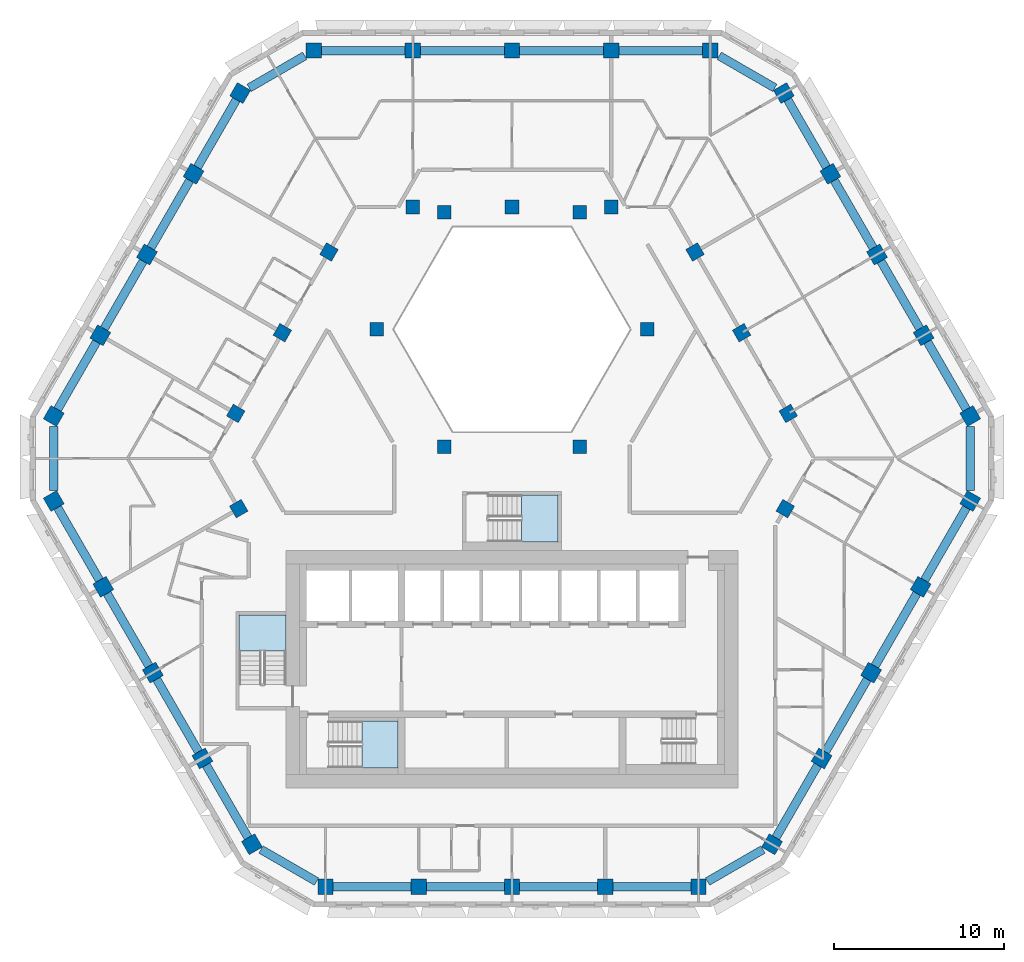
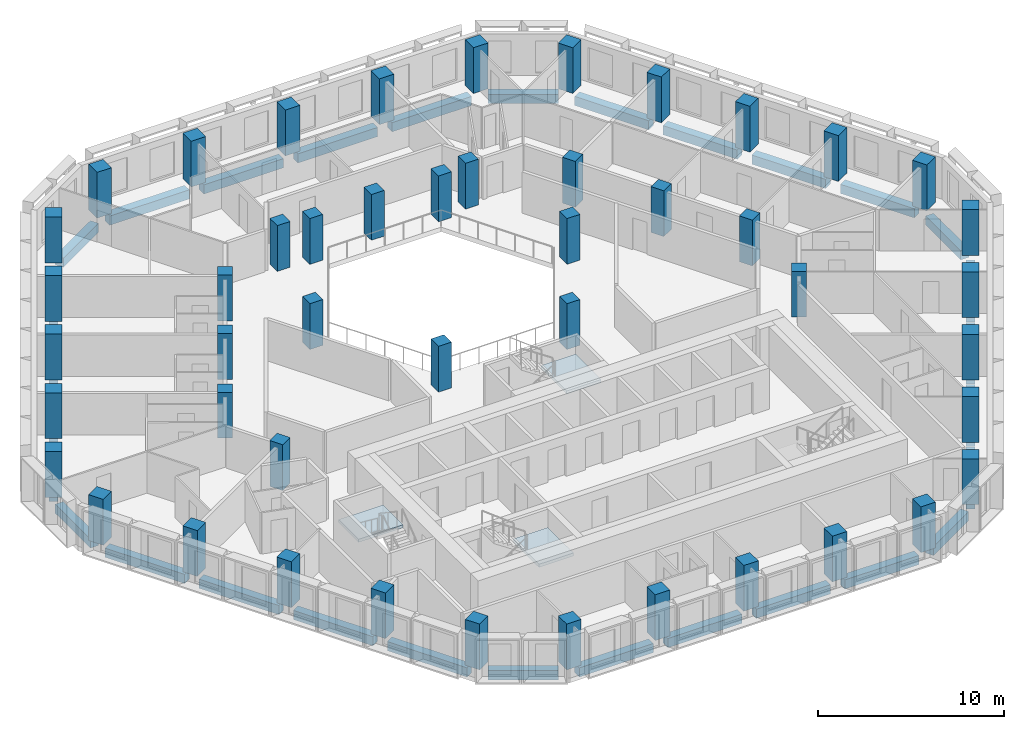
# One storey, part 1 of 17: 47 columns, 30 beams, 3 slabs, 3 elements without a shape of their own.
"""IFC4 building model written with IfcOpenShell, lengths in metres."""

from ifc_helpers import new_model, si_unit, direction, frame, origin, origin_2d, place, context, subcontext, project, spatial, polyline, rectangle, outline, extrude, material, layer, layer_set, material_profile, profile_set, type_object, element, aggregate, save


model = new_model("IFC4")

# Units and contexts
model_context = context("Model", 3, precision=1e-05, world=origin(), true_north=direction((0.0, 1.0)))
body_context = subcontext(model_context, "Body", "Model", "MODEL_VIEW")
ifc_project = project(units=[si_unit("LENGTHUNIT", "METRE"), si_unit("AREAUNIT", "SQUARE_METRE"), si_unit("VOLUMEUNIT", "CUBIC_METRE"), si_unit("PLANEANGLEUNIT", "RADIAN"), si_unit("MASSUNIT", "GRAM", prefix="KILO")], contexts=[model_context])

# Site, building, storey
site_placement = place(None, origin())
site = spatial("IfcSite", under=ifc_project, at=site_placement, CompositionType="ELEMENT")
building_placement = place(site_placement, origin())
building = spatial("IfcBuilding", under=site, at=building_placement, Name="Beryl Residences", CompositionType="ELEMENT")
storey_placement = place(building_placement, frame((0.0, 0.0, 120.60009765625)))
storey = spatial("IfcBuildingStorey", under=building, at=storey_placement, Name="L36", CompositionType="ELEMENT", Elevation=120.60009765625)

# Columns
ifc_material_1 = material(Name="Concrete C60/75", Category="concrete")
ifc_material_profile_1 = material_profile(ifc_material_1, rectangle(XDim=0.89990234375, YDim=0.89990234375, at=origin_2d()))
ifc_profile_set_1 = profile_set([ifc_material_profile_1], Name="Concrete C60/75")
column_type_1 = type_object("IfcColumnType", Name="C3 tube column 900 x 900 C60/75", PredefinedType="COLUMN", material=ifc_profile_set_1)
for number, where, z_axis, x_axis, name in (
    (1, (11.662109375, 24.39990234375, 0.0), (0.0, 0.0, 1.0), (-1.0, 0.0, 0.0), "C3-N1 L36"),
    (2, (5.8310546875, 24.39990234375, 0.0), (0.0, 0.0, 1.0), (-1.0, 0.0, 0.0), "C3-N2 L36"),
    (3, (0.0, 24.39990234375, 0.0), (0.0, 0.0, 1.0), (-1.0, 0.0, 0.0), "C3-N3 L36"),
    (4, (-5.8310546875, 24.39990234375, 0.0), (0.0, 0.0, 1.0), (-1.0, 0.0, 0.0), "C3-N4 L36"),
    (5, (-11.662109375, 24.39990234375, 0.0), (0.0, 0.0, 1.0), (-1.0, 0.0, 0.0), "C3-N5 L36"),
    (6, (-15.992919921875, 21.89990234375, 0.0), (0.0, 0.0, 1.0), (-0.5, -0.866025403784, 0.0), "C3-NW1 L36"),
    (7, (-18.735107421875, 17.14990234375, 0.0), (0.0, 0.0, 1.0), (-0.5, -0.866025403784, 0.0), "C3-NW2 L36"),
    (8, (-21.47802734375, 12.39990234375, 0.0), (0.0, 0.0, 1.0), (-0.5, -0.866025403784, 0.0), "C3-NW3 L36"),
    (9, (-24.219970703125, 7.64990234375, 0.0), (0.0, 0.0, 1.0), (-0.5, -0.866025403784, 0.0), "C3-NW4 L36"),
    (10, (-26.962890625, 2.89990234375, 0.0), (0.0, 0.0, 1.0), (-0.5, -0.866025403784, 0.0), "C3-NW5 L36"),
    (11, (-26.9619140625, -2.10009765625, 0.0), (0.0, 0.0, 1.0), (0.5, -0.866025403784, 0.0), "C3-SW1 L36"),
    (12, (-24.047119140625, -7.14892578125, 0.0), (0.0, 0.0, 1.0), (0.5, -0.866025403784, 0.0), "C3-SW2 L36"),
    (13, (-21.131103515625, -12.198974609375, 0.0), (0.0, 0.0, 1.0), (0.5, -0.866025403784, 0.0), "C3-SW3 L36"),
    (14, (-18.216064453125, -17.2490234375, 0.0), (0.0, 0.0, 1.0), (0.5, -0.866025403784, 0.0), "C3-SW4 L36"),
    (15, (-15.300048828125, -22.299072265625, 0.0), (0.0, 0.0, 1.0), (0.5, -0.866025403784, 0.0), "C3-SW5 L36"),
    (16, (-10.968994140625, -24.800048828125, 0.0), (0.0, 0.0, 1.0), (1.0, 0.0, 0.0), "C3-S1 L36"),
    (17, (-5.48388671875, -24.800048828125, 0.0), (0.0, 0.0, 1.0), (1.0, 0.0, 0.0), "C3-S2 L36"),
    (18, (0.0009765625, -24.800048828125, 0.0), (0.0, 0.0, 1.0), (1.0, 0.0, 0.0), "C3-S3 L36"),
    (19, (5.486083984375, -24.800048828125, 0.0), (0.0, 0.0, 1.0), (1.0, 0.0, 0.0), "C3-S4 L36"),
    (20, (10.970947265625, -24.800048828125, 0.0), (0.0, 0.0, 1.0), (1.0, 0.0, 0.0), "C3-S5 L36"),
    (21, (15.299072265625, -22.300048828125, 0.0), (0.0, 0.0, 1.0), (0.5, 0.866025403784, 0.0), "C3-SE1 L36"),
    (22, (18.215087890625, -17.2509765625, 0.0), (0.0, 0.0, 1.0), (0.5, 0.866025403784, 0.0), "C3-SE2 L36"),
    (23, (21.1298828125, -12.200927734375, 0.0), (0.0, 0.0, 1.0), (0.5, 0.866025403784, 0.0), "C3-SE3 L36"),
    (24, (24.0458984375, -7.15087890625, 0.0), (0.0, 0.0, 1.0), (0.5, 0.866025403784, 0.0), "C3-SE4 L36"),
    (25, (26.9609375, -2.10107421875, 0.0), (0.0, 0.0, 1.0), (0.5, 0.866025403784, 0.0), "C3-SE5 L36"),
    (26, (26.962890625, 2.89990234375, 0.0), (0.0, 0.0, 1.0), (-0.5, 0.866025403784, 0.0), "C3-NE1 L36"),
    (27, (24.219970703125, 7.64990234375, 0.0), (0.0, 0.0, 1.0), (-0.5, 0.866025403784, 0.0), "C3-NE2 L36"),
    (28, (21.47802734375, 12.39990234375, 0.0), (0.0, 0.0, 1.0), (-0.5, 0.866025403784, 0.0), "C3-NE3 L36"),
    (29, (18.735107421875, 17.14990234375, 0.0), (0.0, 0.0, 1.0), (-0.5, 0.866025403784, 0.0), "C3-NE4 L36"),
    (30, (15.992919921875, 21.89990234375, 0.0), (0.0, 0.0, 1.0), (-0.5, 0.866025403784, 0.0), "C3-NE5 L36"),
):
    element("IfcColumn", number, at=place(storey_placement, frame(where, z_axis=z_axis, x_axis=x_axis)), inside=storey, type_object=column_type_1, Name=name, PredefinedType="COLUMN", context=body_context, shape_type="SweptSolid", body=[
        extrude(rectangle(XDim=0.89990234375, YDim=0.89990234375, at=origin_2d()), origin(), (0.0, 0.0, 1.0), 3.0),
    ])
ifc_material_2 = material(Name="Concrete C60/75", Category="concrete")
ifc_material_profile_2 = material_profile(ifc_material_2, rectangle(XDim=0.800048828125, YDim=0.800048828125, at=origin_2d()))
ifc_profile_set_2 = profile_set([ifc_material_profile_2], Name="Concrete C60/75")
column_type_2 = type_object("IfcColumnType", Name="IC3 interior column 800 x 800 C60/75", PredefinedType="COLUMN", material=ifc_profile_set_2)
for number, where, z_axis, x_axis, name in (
    (31, (-16.0791015625, -2.549072265625, 0.0), (0.0, 0.0, 1.0), (0.5, -0.866025403784, 0.0), "IC3-M01 L36"),
    (32, (16.077880859375, -2.551025390625, 0.0), (0.0, 0.0, 1.0), (0.5, 0.866025403784, 0.0), "IC3-M02 L36"),
    (33, (16.2529296875, 3.050048828125, 0.0), (0.0, 0.0, 1.0), (-0.5, 0.866025403784, 0.0), "IC3-M03 L36"),
    (34, (3.98388671875, 1.10009765625, 0.0), (0.0, 0.0, 1.0), (1.0, 0.0, 0.0), "IC3-A04 L36"),
    (35, (13.510009765625, 7.800048828125, 0.0), (0.0, 0.0, 1.0), (-0.5, 0.866025403784, 0.0), "IC3-M05 L36"),
    (36, (7.967041015625, 8.0, 0.0), (0.0, 0.0, 1.0), (1.0, 0.0, 0.0), "IC3-A06 L36"),
    (37, (10.76806640625, 12.550048828125, 0.0), (0.0, 0.0, 1.0), (-0.5, 0.866025403784, 0.0), "IC3-M07 L36"),
    (38, (5.8310546875, 15.199951171875, 0.0), (0.0, 0.0, 1.0), (-1.0, 0.0, 0.0), "IC3-M08 L36"),
    (39, (3.98388671875, 14.89990234375, 0.0), (0.0, 0.0, 1.0), (1.0, 0.0, 0.0), "IC3-A09 L36"),
    (40, (0.0, 15.199951171875, 0.0), (0.0, 0.0, 1.0), (-1.0, 0.0, 0.0), "IC3-M10 L36"),
    (41, (-3.98388671875, 14.89990234375, 0.0), (0.0, 0.0, 1.0), (1.0, 0.0, 0.0), "IC3-A11 L36"),
    (42, (-5.8310546875, 15.199951171875, 0.0), (0.0, 0.0, 1.0), (-1.0, 0.0, 0.0), "IC3-M12 L36"),
    (43, (-10.76806640625, 12.550048828125, 0.0), (0.0, 0.0, 1.0), (-0.5, -0.866025403784, 0.0), "IC3-M13 L36"),
    (44, (-7.967041015625, 8.0, 0.0), (0.0, 0.0, 1.0), (1.0, 0.0, 0.0), "IC3-A14 L36"),
    (45, (-13.510009765625, 7.800048828125, 0.0), (0.0, 0.0, 1.0), (-0.5, -0.866025403784, 0.0), "IC3-M15 L36"),
    (46, (-3.98388671875, 1.10009765625, 0.0), (0.0, 0.0, 1.0), (1.0, 0.0, 0.0), "IC3-A16 L36"),
    (47, (-16.2529296875, 3.050048828125, 0.0), (0.0, 0.0, 1.0), (-0.5, -0.866025403784, 0.0), "IC3-M17 L36"),
):
    element("IfcColumn", number, at=place(storey_placement, frame(where, z_axis=z_axis, x_axis=x_axis)), inside=storey, type_object=column_type_2, Name=name, PredefinedType="COLUMN", context=body_context, shape_type="SweptSolid", body=[
        extrude(rectangle(XDim=0.800048828125, YDim=0.800048828125, at=origin_2d()), origin(), (0.0, 0.0, 1.0), 3.0),
    ])

# Beams
ifc_material_3 = material(Name="Concrete C60/75", Category="concrete")
ifc_material_profile_3 = material_profile(ifc_material_3, rectangle(XDim=0.5, YDim=0.60009765625, at=origin_2d()))
ifc_profile_set_3 = profile_set([ifc_material_profile_3], Name="Concrete C60/75")
beam_type = type_object("IfcBeamType", Name="SB3 spandrel beam 500 x 600 C60/75", PredefinedType="SPANDREL", material=ifc_profile_set_3)
beam_1_placement = place(storey_placement, frame((11.2119140625, 24.39990234375, -0.60009765625), z_axis=(-1.0, 0.0, 0.0), x_axis=(0.0, -1.0, 0.0)))
element("IfcBeam", 48, at=beam_1_placement, inside=storey, type_object=beam_type, Name="SB3 L36 N-0", PredefinedType="SPANDREL", context=body_context, shape_type="SweptSolid", body=[
    extrude(rectangle(XDim=0.5, YDim=0.60009765625, at=origin_2d()), origin(), (0.0, 0.0, 1.0), 4.930908203125),
])
for number, where, z_axis, x_axis, name in (
    (49, (5.381103515625, 24.39990234375, -0.60009765625), (-1.0, 0.0, 0.0), (0.0, -1.0, 0.0), "SB3 L36 N-1"),
    (50, (-0.449951171875, 24.39990234375, -0.60009765625), (-1.0, 0.0, 0.0), (0.0, -1.0, 0.0), "SB3 L36 N-2"),
):
    element("IfcBeam", number, at=place(storey_placement, frame(where, z_axis=z_axis, x_axis=x_axis)), inside=storey, type_object=beam_type, Name=name, PredefinedType="SPANDREL", context=body_context, shape_type="SweptSolid", body=[
        extrude(rectangle(XDim=0.5, YDim=0.60009765625, at=origin_2d()), origin(), (0.0, 0.0, 1.0), 4.93115234375),
    ])
beam_2_placement = place(storey_placement, frame((-6.281005859375, 24.39990234375, -0.60009765625), z_axis=(-1.0, 0.0, 0.0), x_axis=(0.0, -1.0, 0.0)))
element("IfcBeam", 51, at=beam_2_placement, inside=storey, type_object=beam_type, Name="SB3 L36 N-3", PredefinedType="SPANDREL", context=body_context, shape_type="SweptSolid", body=[
    extrude(rectangle(XDim=0.5, YDim=0.60009765625, at=origin_2d()), origin(), (0.0, 0.0, 1.0), 4.930908203125),
])
beam_3_placement = place(storey_placement, frame((-12.194091796875, 24.093017578125, -0.60009765625), z_axis=(-0.866040087317, -0.499974566514, 0.0), x_axis=(0.499974566514, -0.866040087317, 0.0)))
element("IfcBeam", 52, at=beam_3_placement, inside=storey, type_object=beam_type, Name="SB3 L36 N-4", PredefinedType="SPANDREL", context=body_context, shape_type="SweptSolid", body=[
    extrude(rectangle(XDim=0.5, YDim=0.60009765625, at=origin_2d()), origin(), (0.0, 0.0, 1.0), 3.772216796875),
])
beam_4_placement = place(storey_placement, frame((-16.218017578125, 21.510009765625, -0.60009765625), z_axis=(-0.49998830735, -0.866032154434, 0.0), x_axis=(0.866032154434, -0.49998830735, 0.0)))
element("IfcBeam", 53, at=beam_4_placement, inside=storey, type_object=beam_type, Name="SB3 L36 NW-0", PredefinedType="SPANDREL", context=body_context, shape_type="SweptSolid", body=[
    extrude(rectangle(XDim=0.5, YDim=0.60009765625, at=origin_2d()), origin(), (0.0, 0.0, 1.0), 4.583984375),
])
beam_5_placement = place(storey_placement, frame((-18.9599609375, 16.760009765625, -0.60009765625), z_axis=(-0.500148059018, -0.865939904993, 0.0), x_axis=(0.865939904993, -0.500148059018, 0.0)))
element("IfcBeam", 54, at=beam_5_placement, inside=storey, type_object=beam_type, Name="SB3 L36 NW-1", PredefinedType="SPANDREL", context=body_context, shape_type="SweptSolid", body=[
    extrude(rectangle(XDim=0.5, YDim=0.60009765625, at=origin_2d()), origin(), (0.0, 0.0, 1.0), 4.58447265625),
])
beam_6_placement = place(storey_placement, frame((-21.702880859375, 12.010009765625, -0.60009765625), z_axis=(-0.500028250054, -0.866009092994, 0.0), x_axis=(0.866009092994, -0.500028250054, 0.0)))
element("IfcBeam", 55, at=beam_6_placement, inside=storey, type_object=beam_type, Name="SB3 L36 NW-2", PredefinedType="SPANDREL", context=body_context, shape_type="SweptSolid", body=[
    extrude(rectangle(XDim=0.5, YDim=0.60009765625, at=origin_2d()), origin(), (0.0, 0.0, 1.0), 4.584228515625),
])
beam_7_placement = place(storey_placement, frame((-24.445068359375, 7.260009765625, -0.60009765625), z_axis=(-0.500148059018, -0.865939904993, 0.0), x_axis=(0.865939904993, -0.500148059018, 0.0)))
element("IfcBeam", 56, at=beam_7_placement, inside=storey, type_object=beam_type, Name="SB3 L36 NW-3", PredefinedType="SPANDREL", context=body_context, shape_type="SweptSolid", body=[
    extrude(rectangle(XDim=0.5, YDim=0.60009765625, at=origin_2d()), origin(), (0.0, 0.0, 1.0), 4.58447265625),
])
beam_8_placement = place(storey_placement, frame((-26.962890625, 2.285888671875, -0.60009765625), z_axis=(0.000258899668, -0.999999966485, 0.0), x_axis=(0.999999966485, 0.000258899668, 0.0)))
element("IfcBeam", 57, at=beam_8_placement, inside=storey, type_object=beam_type, Name="SB3 L36 NW-4", PredefinedType="SPANDREL", context=body_context, shape_type="SweptSolid", body=[
    extrude(rectangle(XDim=0.5, YDim=0.60009765625, at=origin_2d()), origin(), (0.0, 0.0, 1.0), 3.77197265625),
])
beam_9_placement = place(storey_placement, frame((-26.737060546875, -2.489990234375, -0.60009765625), z_axis=(0.50005397607, -0.865994238443, 0.0), x_axis=(0.865994238443, 0.50005397607, 0.0)))
element("IfcBeam", 58, at=beam_9_placement, inside=storey, type_object=beam_type, Name="SB3 L36 SW-0", PredefinedType="SPANDREL", context=body_context, shape_type="SweptSolid", body=[
    extrude(rectangle(XDim=0.5, YDim=0.60009765625, at=origin_2d()), origin(), (0.0, 0.0, 1.0), 4.9296875),
])
beam_10_placement = place(storey_placement, frame((-23.822021484375, -7.5390625, -0.60009765625), z_axis=(0.500116736097, -0.865957995677, 0.0), x_axis=(0.865957995677, 0.500116736097, 0.0)))
element("IfcBeam", 59, at=beam_10_placement, inside=storey, type_object=beam_type, Name="SB3 L36 SW-1", PredefinedType="SPANDREL", context=body_context, shape_type="SweptSolid", body=[
    extrude(rectangle(XDim=0.5, YDim=0.60009765625, at=origin_2d()), origin(), (0.0, 0.0, 1.0), 4.930908203125),
])
beam_11_placement = place(storey_placement, frame((-20.906005859375, -12.589111328125, -0.60009765625), z_axis=(0.499989643469, -0.866031383048, 0.0), x_axis=(0.866031383048, 0.499989643469, 0.0)))
element("IfcBeam", 60, at=beam_11_placement, inside=storey, type_object=beam_type, Name="SB3 L36 SW-2", PredefinedType="SPANDREL", context=body_context, shape_type="SweptSolid", body=[
    extrude(rectangle(XDim=0.5, YDim=0.60009765625, at=origin_2d()), origin(), (0.0, 0.0, 1.0), 4.93017578125),
])
beam_12_placement = place(storey_placement, frame((-17.990966796875, -17.638916015625, -0.60009765625), z_axis=(0.500116736097, -0.865957995677, 0.0), x_axis=(0.865957995677, 0.500116736097, 0.0)))
element("IfcBeam", 61, at=beam_12_placement, inside=storey, type_object=beam_type, Name="SB3 L36 SW-3", PredefinedType="SPANDREL", context=body_context, shape_type="SweptSolid", body=[
    extrude(rectangle(XDim=0.5, YDim=0.60009765625, at=origin_2d()), origin(), (0.0, 0.0, 1.0), 4.930908203125),
])
beam_13_placement = place(storey_placement, frame((-14.76806640625, -22.60595703125, -0.60009765625), z_axis=(0.865944170592, -0.500140673629, 0.0), x_axis=(0.500140673629, 0.865944170592, 0.0)))
element("IfcBeam", 62, at=beam_13_placement, inside=storey, type_object=beam_type, Name="SB3 L36 SW-4", PredefinedType="SPANDREL", context=body_context, shape_type="SweptSolid", body=[
    extrude(rectangle(XDim=0.5, YDim=0.60009765625, at=origin_2d()), origin(), (0.0, 0.0, 1.0), 3.77294921875),
])
for number, where, z_axis, x_axis, name in (
    (63, (-10.51904296875, -24.800048828125, -0.60009765625), (1.0, 0.0, 0.0), (0.0, 1.0, 0.0), "SB3 L36 S-0"),
    (64, (-5.033935546875, -24.800048828125, -0.60009765625), (1.0, 0.0, 0.0), (0.0, 1.0, 0.0), "SB3 L36 S-1"),
    (65, (0.450927734375, -24.800048828125, -0.60009765625), (1.0, 0.0, 0.0), (0.0, 1.0, 0.0), "SB3 L36 S-2"),
    (66, (5.93603515625, -24.800048828125, -0.60009765625), (1.0, 0.0, 0.0), (0.0, 1.0, 0.0), "SB3 L36 S-3"),
):
    element("IfcBeam", number, at=place(storey_placement, frame(where, z_axis=z_axis, x_axis=x_axis)), inside=storey, type_object=beam_type, Name=name, PredefinedType="SPANDREL", context=body_context, shape_type="SweptSolid", body=[
        extrude(rectangle(XDim=0.5, YDim=0.60009765625, at=origin_2d()), origin(), (0.0, 0.0, 1.0), 4.5849609375),
    ])
beam_14_placement = place(storey_placement, frame((11.5029296875, -24.492919921875, -0.60009765625), z_axis=(0.865861956233, 0.500282992663, 0.0), x_axis=(-0.500282992663, 0.865861956233, 0.0)))
element("IfcBeam", 67, at=beam_14_placement, inside=storey, type_object=beam_type, Name="SB3 L36 S-4", PredefinedType="SPANDREL", context=body_context, shape_type="SweptSolid", body=[
    extrude(rectangle(XDim=0.5, YDim=0.60009765625, at=origin_2d()), origin(), (0.0, 0.0, 1.0), 3.769775390625),
])
beam_15_placement = place(storey_placement, frame((15.52392578125, -21.909912109375, -0.60009765625), z_axis=(0.500223967704, 0.86589605735, 0.0), x_axis=(-0.86589605735, 0.500223967704, 0.0)))
element("IfcBeam", 68, at=beam_15_placement, inside=storey, type_object=beam_type, Name="SB3 L36 SE-0", PredefinedType="SPANDREL", context=body_context, shape_type="SweptSolid", body=[
    extrude(rectangle(XDim=0.5, YDim=0.60009765625, at=origin_2d()), origin(), (0.0, 0.0, 1.0), 4.929931640625),
])
beam_16_placement = place(storey_placement, frame((18.43994140625, -16.861083984375, -0.60009765625), z_axis=(0.499968202334, 0.866043761397, 0.0), x_axis=(-0.866043761397, 0.499968202334, 0.0)))
element("IfcBeam", 69, at=beam_16_placement, inside=storey, type_object=beam_type, Name="SB3 L36 SE-1", PredefinedType="SPANDREL", context=body_context, shape_type="SweptSolid", body=[
    extrude(rectangle(XDim=0.5, YDim=0.60009765625, at=origin_2d()), origin(), (0.0, 0.0, 1.0), 4.930419921875),
])
beam_17_placement = place(storey_placement, frame((21.35498046875, -11.81103515625, -0.60009765625), z_axis=(0.500116736097, 0.865957995677, 0.0), x_axis=(-0.865957995677, 0.500116736097, 0.0)))
element("IfcBeam", 70, at=beam_17_placement, inside=storey, type_object=beam_type, Name="SB3 L36 SE-2", PredefinedType="SPANDREL", context=body_context, shape_type="SweptSolid", body=[
    extrude(rectangle(XDim=0.5, YDim=0.60009765625, at=origin_2d()), origin(), (0.0, 0.0, 1.0), 4.930908203125),
])
beam_18_placement = place(storey_placement, frame((24.27099609375, -6.760986328125, -0.60009765625), z_axis=(0.499968202334, 0.866043761397, 0.0), x_axis=(-0.866043761397, 0.499968202334, 0.0)))
element("IfcBeam", 71, at=beam_18_placement, inside=storey, type_object=beam_type, Name="SB3 L36 SE-3", PredefinedType="SPANDREL", context=body_context, shape_type="SweptSolid", body=[
    extrude(rectangle(XDim=0.5, YDim=0.60009765625, at=origin_2d()), origin(), (0.0, 0.0, 1.0), 4.930419921875),
])
beam_19_placement = place(storey_placement, frame((26.9609375, -1.487060546875, -0.60009765625), z_axis=(0.00051766526, 0.999999866011, 0.0), x_axis=(-0.999999866011, 0.00051766526, 0.0)))
element("IfcBeam", 72, at=beam_19_placement, inside=storey, type_object=beam_type, Name="SB3 L36 SE-4", PredefinedType="SPANDREL", context=body_context, shape_type="SweptSolid", body=[
    extrude(rectangle(XDim=0.5, YDim=0.60009765625, at=origin_2d()), origin(), (0.0, 0.0, 1.0), 3.77294921875),
])
beam_20_placement = place(storey_placement, frame((26.738037109375, 3.2900390625, -0.60009765625), z_axis=(-0.500148059018, 0.865939904993, 0.0), x_axis=(-0.865939904993, -0.500148059018, 0.0)))
element("IfcBeam", 73, at=beam_20_placement, inside=storey, type_object=beam_type, Name="SB3 L36 NE-0", PredefinedType="SPANDREL", context=body_context, shape_type="SweptSolid", body=[
    extrude(rectangle(XDim=0.5, YDim=0.60009765625, at=origin_2d()), origin(), (0.0, 0.0, 1.0), 4.58447265625),
])
beam_21_placement = place(storey_placement, frame((23.9951171875, 8.0400390625, -0.60009765625), z_axis=(-0.500028250054, 0.866009092994, 0.0), x_axis=(-0.866009092994, -0.500028250054, 0.0)))
element("IfcBeam", 74, at=beam_21_placement, inside=storey, type_object=beam_type, Name="SB3 L36 NE-1", PredefinedType="SPANDREL", context=body_context, shape_type="SweptSolid", body=[
    extrude(rectangle(XDim=0.5, YDim=0.60009765625, at=origin_2d()), origin(), (0.0, 0.0, 1.0), 4.584228515625),
])
beam_22_placement = place(storey_placement, frame((21.2529296875, 12.7900390625, -0.60009765625), z_axis=(-0.500148059018, 0.865939904993, 0.0), x_axis=(-0.865939904993, -0.500148059018, 0.0)))
element("IfcBeam", 75, at=beam_22_placement, inside=storey, type_object=beam_type, Name="SB3 L36 NE-2", PredefinedType="SPANDREL", context=body_context, shape_type="SweptSolid", body=[
    extrude(rectangle(XDim=0.5, YDim=0.60009765625, at=origin_2d()), origin(), (0.0, 0.0, 1.0), 4.58447265625),
])
beam_23_placement = place(storey_placement, frame((18.510009765625, 17.5400390625, -0.60009765625), z_axis=(-0.49998830735, 0.866032154434, 0.0), x_axis=(-0.866032154434, -0.49998830735, 0.0)))
element("IfcBeam", 76, at=beam_23_placement, inside=storey, type_object=beam_type, Name="SB3 L36 NE-3", PredefinedType="SPANDREL", context=body_context, shape_type="SweptSolid", body=[
    extrude(rectangle(XDim=0.5, YDim=0.60009765625, at=origin_2d()), origin(), (0.0, 0.0, 1.0), 4.583984375),
])
beam_24_placement = place(storey_placement, frame((15.4609375, 22.20703125, -0.60009765625), z_axis=(-0.866040087317, 0.499974566514, 0.0), x_axis=(-0.499974566514, -0.866040087317, 0.0)))
element("IfcBeam", 77, at=beam_24_placement, inside=storey, type_object=beam_type, Name="SB3 L36 NE-4", PredefinedType="SPANDREL", context=body_context, shape_type="SweptSolid", body=[
    extrude(rectangle(XDim=0.5, YDim=0.60009765625, at=origin_2d()), origin(), (0.0, 0.0, 1.0), 3.772216796875),
])

# Stair, slab
ifc_material_4 = material(Name="Concrete C40/50", Category="concrete")
stair_type = type_object("IfcStairType", Name="ST1 protected exit stair, half-turn, 1300 mm flights", PredefinedType="HALF_TURN_STAIR", material=ifc_material_4)
stair_1_placement = place(storey_placement, origin())
stair_1 = element("IfcStair", 78, at=stair_1_placement, inside=storey, type_object=stair_type, Name="L36 PROTECTED EXIT STAIR ST-1", PredefinedType="HALF_TURN_STAIR")
ifc_material_5 = material(Name="Concrete C40/50", Category="concrete")
ifc_layer = layer(ifc_material_5, 0.199951171875)
ifc_layer_set = layer_set([ifc_layer], Name="SLD1 stair landing 200 mm")
slab_type = type_object("IfcSlabType", Name="SLD1 stair landing 200 mm", PredefinedType="LANDING", material=ifc_layer_set)
slab_1_placement = place(storey_placement, frame((0.0, 0.0, 1.2998046875)))
slab_1 = element("IfcSlab", 79, at=slab_1_placement, type_object=slab_type, Name="ST-1 landing 1", PredefinedType="LANDING", context=body_context, shape_type="SweptSolid", body=[
    extrude(outline(polyline([(-8.840087890625, -17.800048828125), (-6.699951171875, -17.800048828125), (-6.699951171875, -15.050048828125), (-8.840087890625, -15.050048828125), (-8.840087890625, -17.800048828125)])), origin(), (0.0, 0.0, 1.0), 0.2001953125),
])
aggregate(stair_1, [slab_1])

stair_2_placement = place(storey_placement, origin())
stair_2 = element("IfcStair", 80, at=stair_2_placement, inside=storey, type_object=stair_type, Name="L36 PROTECTED EXIT STAIR ST-2", PredefinedType="HALF_TURN_STAIR")
slab_2_placement = place(storey_placement, frame((0.0, 0.0, 1.2998046875)))
slab_2 = element("IfcSlab", 81, at=slab_2_placement, type_object=slab_type, Name="ST-2 landing 1", PredefinedType="LANDING", context=body_context, shape_type="SweptSolid", body=[
    extrude(outline(polyline([(-13.300048828125, -10.93994140625), (-13.300048828125, -8.800048828125), (-16.050048828125, -8.800048828125), (-16.050048828125, -10.93994140625), (-13.300048828125, -10.93994140625)])), origin(), (0.0, 0.0, 1.0), 0.2001953125),
])
aggregate(stair_2, [slab_2])

stair_3_placement = place(storey_placement, origin())
stair_3 = element("IfcStair", 82, at=stair_3_placement, inside=storey, type_object=stair_type, Name="L36 PROTECTED EXIT STAIR ST-4", PredefinedType="HALF_TURN_STAIR")
slab_3_placement = place(storey_placement, frame((0.0, 0.0, 1.2998046875)))
slab_3 = element("IfcSlab", 83, at=slab_3_placement, type_object=slab_type, Name="ST-4 landing 1", PredefinedType="LANDING", context=body_context, shape_type="SweptSolid", body=[
    extrude(outline(polyline([(0.56005859375, -4.5), (2.699951171875, -4.5), (2.699951171875, -1.75), (0.56005859375, -1.75), (0.56005859375, -4.5)])), origin(), (0.0, 0.0, 1.0), 0.2001953125),
])
aggregate(stair_3, [slab_3])

save(model, "model.ifc")
